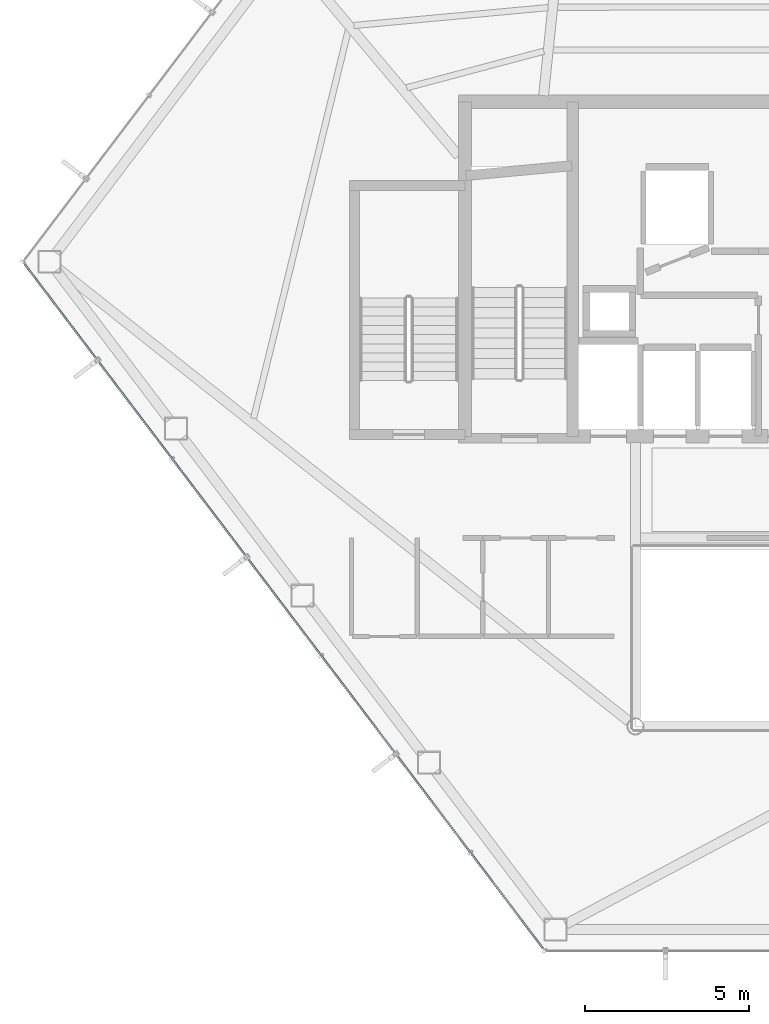
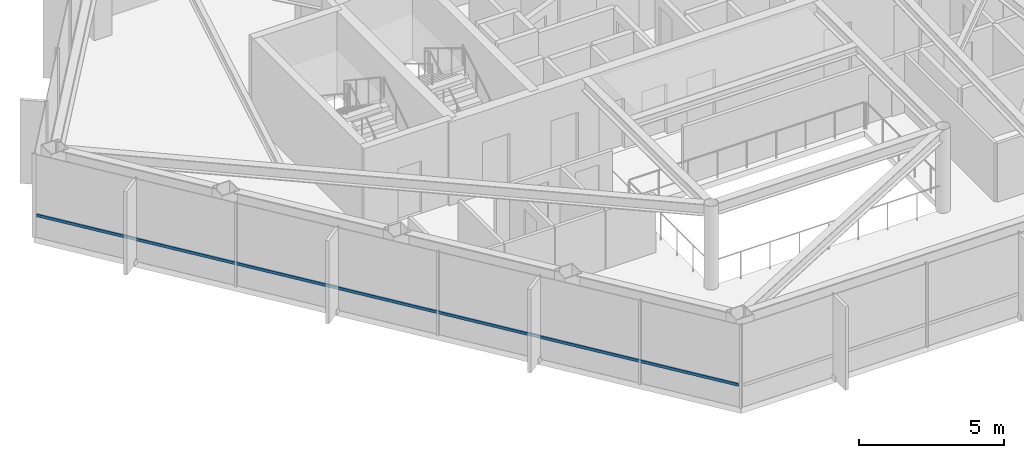
# One storey, part 3 of 27: 1 member, 1 element without a shape of its own.
"""IFC4 building model written with IfcOpenShell, lengths in metres."""

import ifcopenshell
import ifcopenshell.guid

model = None  # the IFC model being written
_history = None  # IfcOwnerHistory: only IFC2X3 demands one
_inside = {}  # id of a spatial element -> (the spatial element, [elements in it])
_under = {}  # id of a project, library or spatial element -> (it, [spatial elements below it])
_declared = {}  # id of a project -> (the project, [libraries it declares])
_typed = {}  # id of a type object -> (the type object, [elements of that type])
_made_of = {}  # id of a material, layer set ... -> (it, [elements and type objects made of it])


def new_model(schema):
    """Start an empty IFC model of exactly this schema.

    Asked for "IFC4X3", IfcOpenShell would pick the latest addendum, in which some entities
    have other attributes; the version numbers below select the first issue.
    IFC2X3 requires an IfcOwnerHistory on every rooted entity: one is made here for all.
    """
    global model, _history
    if schema == "IFC4X3":
        model = ifcopenshell.file(schema_version=(4, 3, 0, 0))
    else:
        model = ifcopenshell.file(schema=schema)
    _inside.clear()
    _under.clear()
    _declared.clear()
    _typed.clear()
    _made_of.clear()
    _history = None
    if model.schema == "IFC2X3":
        org = make("IfcOrganization", Name="unknown")
        user = make(
            "IfcPersonAndOrganization",
            ThePerson=make("IfcPerson", FamilyName="unknown"),
            TheOrganization=org,
        )
        app = make(
            "IfcApplication",
            ApplicationDeveloper=org,
            Version="unknown",
            ApplicationFullName="unknown",
            ApplicationIdentifier="unknown",
        )
        _history = make(
            "IfcOwnerHistory",
            OwningUser=user,
            OwningApplication=app,
            ChangeAction="ADDED",
            CreationDate=0,
        )
    return model


def make(cls, **values):
    """One entity of the class cls with the attributes given. An attribute that is None is left unset."""
    return model.create_entity(
        cls, **{name: value for name, value in values.items() if value is not None}
    )


def rooted(cls, **values):
    """An entity with a GlobalId (a new one), such as an element, a storey or a relation."""
    return make(cls, GlobalId=ifcopenshell.guid.new(), OwnerHistory=_history, **values)


def si_unit(unit_type, name, prefix=None):
    """IfcSIUnit, for example si_unit("LENGTHUNIT", "METRE", prefix="MILLI")."""
    return make("IfcSIUnit", UnitType=unit_type, Prefix=prefix, Name=name)


def assignment(units):
    """IfcUnitAssignment: the units of a project."""
    return None if units is None else make("IfcUnitAssignment", Units=units)


def point(xyz):
    """IfcCartesianPoint."""
    return None if xyz is None else make("IfcCartesianPoint", Coordinates=xyz)


def direction(xyz):
    """IfcDirection."""
    return None if xyz is None else make("IfcDirection", DirectionRatios=xyz)


def frame(location, z_axis=None, x_axis=None):
    """IfcAxis2Placement3D, a coordinate frame: its origin and axes. An axis left out is left unset."""
    return make(
        "IfcAxis2Placement3D",
        Location=point(location),
        Axis=direction(z_axis),
        RefDirection=direction(x_axis),
    )


def frame_2d(location, x_axis=None):
    """IfcAxis2Placement2D, a coordinate frame in the plane: its origin and x axis."""
    return make(
        "IfcAxis2Placement2D", Location=point(location), RefDirection=direction(x_axis)
    )


def origin():
    """The frame at (0, 0, 0) with its axes left unset."""
    return frame((0.0, 0.0, 0.0))


def origin_2d():
    """The frame at (0, 0) in the plane with its x axis left unset."""
    return frame_2d((0.0, 0.0))


def place(relative_to, where):
    """IfcLocalPlacement: puts the frame where relative to a parent placement (None: the world)."""
    return make(
        "IfcLocalPlacement", PlacementRelTo=relative_to, RelativePlacement=where
    )


def context(
    kind, dimensions, precision=None, world=None, true_north=None, identifier=None
):
    """IfcGeometricRepresentationContext, for example the 3D "Model" context."""
    return make(
        "IfcGeometricRepresentationContext",
        ContextIdentifier=identifier,
        ContextType=kind,
        CoordinateSpaceDimension=dimensions,
        Precision=precision,
        WorldCoordinateSystem=world,
        TrueNorth=true_north,
    )


def subcontext(parent, identifier, kind, view, scale=None):
    """IfcGeometricRepresentationSubContext, for example "Body" below "Model"."""
    return make(
        "IfcGeometricRepresentationSubContext",
        ContextIdentifier=identifier,
        ContextType=kind,
        ParentContext=parent,
        TargetScale=scale,
        TargetView=view,
    )


def project(units=None, contexts=None):
    """IfcProject with its units and contexts."""
    return rooted(
        "IfcProject",
        Name="project",
        RepresentationContexts=contexts,
        UnitsInContext=assignment(units),
    )


def spatial(cls, under=None, at=None, **own):
    """A site, building, storey or space (cls), placed at a placement, below another one or the project."""
    s = rooted(cls, ObjectPlacement=at, **own)
    if under is not None:
        _under.setdefault(under.id(), (under, []))[1].append(s)
    return s


def profile(cls, at=None, kind="AREA", **sizes):
    """A parametric profile (cls). Its sizes go by their IFC names, for example OverallWidth=200.0."""
    return make(cls, ProfileType=kind, Position=at, **sizes)


def hollow_rectangle(**sizes):
    """IfcRectangleHollowProfileDef."""
    return profile("IfcRectangleHollowProfileDef", **sizes)


def extrude(swept, where, along, depth):
    """IfcExtrudedAreaSolid: the profile swept, set in the frame where, extruded along a direction by depth."""
    return make(
        "IfcExtrudedAreaSolid",
        SweptArea=swept,
        Position=where,
        ExtrudedDirection=direction(along),
        Depth=depth,
    )


def shape(context_of_items, identifier, shape_type, items):
    """IfcShapeRepresentation: the items that make up one representation, for example the "Body"."""
    return make(
        "IfcShapeRepresentation",
        ContextOfItems=context_of_items,
        RepresentationIdentifier=identifier,
        RepresentationType=shape_type,
        Items=items,
    )


def material(Name=None, Category=None):
    """IfcMaterial."""
    return make("IfcMaterial", Name=Name, Category=Category)


def layer(
    of_material, thickness, ventilated=None, Name=None, Category=None, Priority=None
):
    """IfcMaterialLayer: one layer of a wall or slab, of a material (None: an air gap)."""
    return make(
        "IfcMaterialLayer",
        Material=of_material,
        LayerThickness=thickness,
        IsVentilated=ventilated,
        Name=Name,
        Category=Category,
        Priority=Priority,
    )


def layer_set(layers, Name=None):
    """IfcMaterialLayerSet."""
    return make("IfcMaterialLayerSet", MaterialLayers=layers, LayerSetName=Name)


def material_profile(
    of_material, cross_section, Name=None, Category=None, Priority=None
):
    """IfcMaterialProfile: a cross section and its material."""
    return make(
        "IfcMaterialProfile",
        Name=Name,
        Material=of_material,
        Profile=cross_section,
        Priority=Priority,
        Category=Category,
    )


def profile_set(profiles, Name=None, composite=None):
    """IfcMaterialProfileSet."""
    return make(
        "IfcMaterialProfileSet",
        Name=Name,
        MaterialProfiles=profiles,
        CompositeProfile=composite,
    )


def made_of(thing, what):
    """Note that an element or type object is made of a material, layer set ...; save() writes the relation."""
    if what is not None:
        _made_of.setdefault(what.id(), (what, []))[1].append(thing)
    return thing


def type_object(cls, material=None, **own):
    """A type object (cls), such as IfcWallType, which elements share."""
    return made_of(rooted(cls, **own), material)


def element(
    cls,
    number,
    at=None,
    inside=None,
    cuts=None,
    type_object=None,
    material=None,
    context=None,
    identifier="Body",
    shape_type=None,
    held_by="IfcProductDefinitionShape",
    body=None,
    shapes=None,
    **own,
):
    """One element of the class cls, such as IfcWall. Its Tag is "e" and its number.

    at: its placement. inside: the storey or other place that contains it. cuts: it is an
    opening in that element (IfcRelVoidsElement). A single representation is given by context,
    identifier, shape_type and body (its items); several are given by shapes. held_by: the class
    of the entity that holds the representations. save() writes the other relations.
    """
    e = rooted(cls, Tag="e%d" % number, ObjectPlacement=at, **own)
    if body is not None:
        shapes = [shape(context, identifier, shape_type, body)]
    if shapes is not None:
        e.Representation = make(held_by, Representations=shapes)
    if inside is not None:
        _inside.setdefault(inside.id(), (inside, []))[1].append(e)
    if cuts is not None:
        rooted(
            "IfcRelVoidsElement", RelatingBuildingElement=cuts, RelatedOpeningElement=e
        )
    if type_object is not None:
        _typed.setdefault(type_object.id(), (type_object, []))[1].append(e)
    return made_of(e, material)


def aggregate(whole, parts):
    """IfcRelAggregates: a whole, such as a stair, and the parts it consists of."""
    return rooted("IfcRelAggregates", RelatingObject=whole, RelatedObjects=parts)


def save(model, path):
    """Write the relations noted so far, then the file.

    IfcRelAggregates (storeys below a building ...), IfcRelContainedInSpatialStructure (elements
    in a storey), IfcRelDefinesByType, IfcRelAssociatesMaterial and IfcRelDeclares: one each for
    every whole, place, type object, material and project.
    """
    for whole, parts in _under.values():
        aggregate(whole, parts)
    for where, things in _inside.values():
        rooted(
            "IfcRelContainedInSpatialStructure",
            RelatedElements=things,
            RelatingStructure=where,
        )
    for kind, things in _typed.values():
        rooted("IfcRelDefinesByType", RelatedObjects=things, RelatingType=kind)
    for what, things in _made_of.values():
        rooted("IfcRelAssociatesMaterial", RelatedObjects=things, RelatingMaterial=what)
    for by, libraries in _declared.values():
        rooted("IfcRelDeclares", RelatingContext=by, RelatedDefinitions=libraries)
    model.write(path)


model = new_model("IFC4")

# Units and contexts
model_context = context("Model", 3, precision=1e-05, world=origin(), true_north=direction((0.0, 1.0)))
body_context = subcontext(model_context, "Body", "Model", "MODEL_VIEW")
ifc_project = project(units=[si_unit("LENGTHUNIT", "METRE"), si_unit("AREAUNIT", "SQUARE_METRE"), si_unit("VOLUMEUNIT", "CUBIC_METRE"), si_unit("PLANEANGLEUNIT", "RADIAN"), si_unit("MASSUNIT", "GRAM", prefix="KILO")], contexts=[model_context])

# Site, building, storey
site_placement = place(None, origin())
site = spatial("IfcSite", under=ifc_project, at=site_placement, CompositionType="ELEMENT")
building_placement = place(site_placement, origin())
building = spatial("IfcBuilding", under=site, at=building_placement, Name="Zarrinselat Tower", CompositionType="ELEMENT")
storey_placement = place(building_placement, frame((0.0, 0.0, 179.52001953125)))
storey = spatial("IfcBuildingStorey", under=building, at=storey_placement, Name="L44", CompositionType="ELEMENT", Elevation=179.52001953125)

# Curtain wall, member
ifc_material_1 = material(Name="Extruded Aluminium Alloy EN AW-6063 T6", Category="aluminium")
ifc_layer = layer(ifc_material_1, 0.175048828125)
ifc_layer_set = layer_set([ifc_layer], Name="Extruded Aluminium Alloy EN AW-6063 T6")
curtain_wall_type = type_object("IfcCurtainWallType", Name="CWS-HTL", PredefinedType="NOTDEFINED", material=ifc_layer_set)
curtain_wall_placement = place(storey_placement, origin())
curtain_wall = element("IfcCurtainWall", 1, at=curtain_wall_placement, inside=storey, type_object=curtain_wall_type, Name="L44 Unitised Curtain Wall CW-L44-E03", PredefinedType="NOTDEFINED")
ifc_material_2 = material(Name="Extruded Aluminium Alloy EN AW-6063 T6", Category="aluminium")
ifc_material_profile = material_profile(ifc_material_2, hollow_rectangle(XDim=0.06005859375, YDim=0.1201171875, WallThickness=0.00390625, at=origin_2d()), Name="RHS 120x60x4")
ifc_profile_set = profile_set([ifc_material_profile], Name="Extruded Aluminium Alloy EN AW-6063 T6")
member_type = type_object("IfcMemberType", Name="MEM-CW-TRN2", PredefinedType="USERDEFINED", material=ifc_profile_set)
member_placement = place(storey_placement, frame((15.17431640625, 38.5, 0.949951171875), z_axis=(0.603859482997, -0.797090788301, 0.0), x_axis=(0.797090788301, 0.603859482997, 0.0)))
member = element("IfcMember", 2, at=member_placement, type_object=member_type, Name="CW-L44-E03 Transom 1", ObjectType="TRANSOM", PredefinedType="USERDEFINED", context=body_context, shape_type="SweptSolid", body=[
    extrude(hollow_rectangle(XDim=0.06005859375, YDim=0.1201171875, WallThickness=0.00390625, at=origin_2d()), origin(), (0.0, 0.0, 1.0), 26.1865234375),
])
aggregate(curtain_wall, [member])

save(model, "model.ifc")
